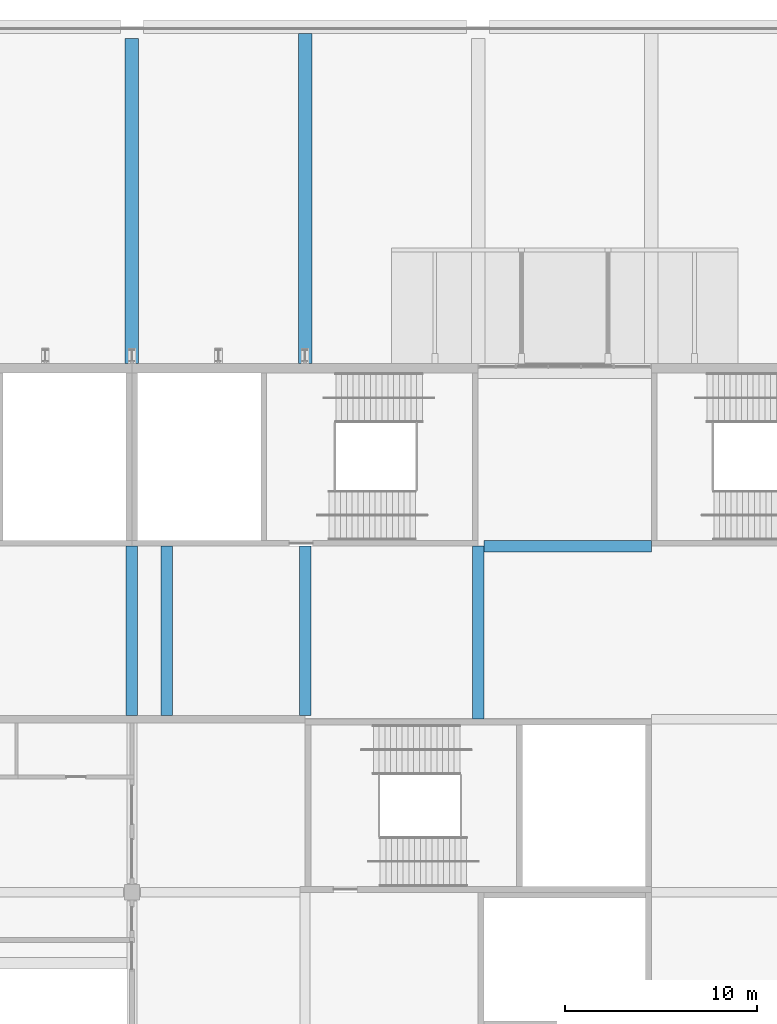
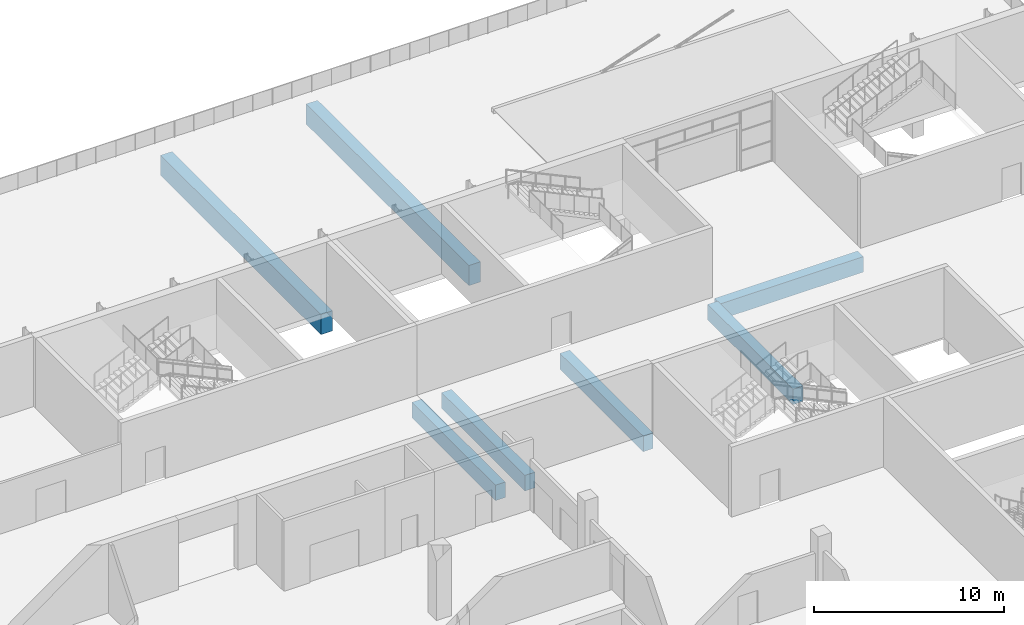
# One storey, part 63 of 168: 7 beams.
"""IFC4 building model written with IfcOpenShell, lengths in metres."""

from ifc_helpers import new_model, si_unit, direction, frame, origin, origin_2d, place, context, subcontext, project, spatial, rectangle, extrude, material, material_profile, profile_set, type_object, element, save


model = new_model("IFC4")

# Units and contexts
model_context = context("Model", 3, precision=1e-05, world=origin(), true_north=direction((0.0, 1.0)))
body_context = subcontext(model_context, "Body", "Model", "MODEL_VIEW")
ifc_project = project(units=[si_unit("LENGTHUNIT", "METRE"), si_unit("AREAUNIT", "SQUARE_METRE"), si_unit("VOLUMEUNIT", "CUBIC_METRE"), si_unit("PLANEANGLEUNIT", "RADIAN"), si_unit("MASSUNIT", "GRAM", prefix="KILO")], contexts=[model_context])

# Site, building, storey
site_placement = place(None, origin())
site = spatial("IfcSite", under=ifc_project, at=site_placement, CompositionType="ELEMENT")
building_placement = place(site_placement, origin())
building = spatial("IfcBuilding", under=site, at=building_placement, Name="Silverbay Arena", CompositionType="ELEMENT")
storey_placement = place(building_placement, frame((0.0, 0.0, 7.0)))
storey = spatial("IfcBuildingStorey", under=building, at=storey_placement, Name="L01", CompositionType="ELEMENT", Elevation=7.0)

# Beams
ifc_material_1 = material(Name="Concrete Grade C45", Category="concrete")
ifc_material_profile_1 = material_profile(ifc_material_1, rectangle(XDim=0.60009765625, YDim=1.0, at=origin_2d()), Name="RC 600x1000")
ifc_profile_set_1 = profile_set([ifc_material_profile_1], Name="Concrete Grade C45")
beam_type_1 = type_object("IfcBeamType", Name="RC beam 600x1000", PredefinedType="BEAM", material=ifc_profile_set_1)
beam_1_placement = place(storey_placement, frame((180.300048828125, 135.0, -0.85009765625), z_axis=(1.0, 0.0, 0.0), x_axis=(0.0, 1.0, 0.0)))
element("IfcBeam", 1, at=beam_1_placement, inside=storey, type_object=beam_type_1, Name="Floor beam L01 169", PredefinedType="BEAM", context=body_context, shape_type="SweptSolid", body=[
    extrude(rectangle(XDim=0.60009765625, YDim=1.0, at=origin_2d()), origin(), (0.0, 0.0, 1.0), 8.699951171875),
])
for number, where, z_axis, x_axis, name in (
    (2, (162.0, 126.199951171875, -0.85009765625), (0.0, 1.0, 0.0), (-1.0, 0.0, 0.0), "Floor beam L01 300"),
    (3, (163.800048828125, 126.199951171875, -0.85009765625), (0.0, 1.0, 0.0), (-1.0, 0.0, 0.0), "Floor beam L01 302"),
    (4, (171.0, 126.199951171875, -0.85009765625), (0.0, 1.0, 0.0), (-1.0, 0.0, 0.0), "Floor beam L01 308"),
):
    element("IfcBeam", number, at=place(storey_placement, frame(where, z_axis=z_axis, x_axis=x_axis)), inside=storey, type_object=beam_type_1, Name=name, PredefinedType="BEAM", context=body_context, shape_type="SweptSolid", body=[
        extrude(rectangle(XDim=0.60009765625, YDim=1.0, at=origin_2d()), origin(), (0.0, 0.0, 1.0), 8.800048828125),
    ])
beam_2_placement = place(storey_placement, frame((180.0, 126.0, -0.85009765625), z_axis=(0.0, 1.0, 0.0), x_axis=(-1.0, 0.0, 0.0)))
element("IfcBeam", 5, at=beam_2_placement, inside=storey, type_object=beam_type_1, Name="Floor beam L01 314", PredefinedType="BEAM", context=body_context, shape_type="SweptSolid", body=[
    extrude(rectangle(XDim=0.60009765625, YDim=1.0, at=origin_2d()), origin(), (0.0, 0.0, 1.0), 9.0),
])
ifc_material_2 = material(Name="Concrete Grade C45", Category="concrete")
ifc_material_profile_2 = material_profile(ifc_material_2, rectangle(XDim=0.699951171875, YDim=1.300048828125, at=origin_2d()), Name="RC 700x1300")
ifc_profile_set_2 = profile_set([ifc_material_profile_2], Name="Concrete Grade C45")
beam_type_2 = type_object("IfcBeamType", Name="RC girder 700x1300", PredefinedType="BEAM", material=ifc_profile_set_2)
beam_3_placement = place(storey_placement, frame((162.0, 144.5, -1.10009765625), z_axis=(0.0, 1.0, 0.0), x_axis=(-1.0, 0.0, 0.0)))
element("IfcBeam", 6, at=beam_3_placement, inside=storey, type_object=beam_type_2, Name="Deck secondary beam 128", PredefinedType="BEAM", context=body_context, shape_type="SweptSolid", body=[
    extrude(rectangle(XDim=0.699951171875, YDim=1.300048828125, at=origin_2d()), origin(), (0.0, 0.0, 1.0), 16.89990234375),
])
beam_4_placement = place(storey_placement, frame((171.0, 144.5, -1.10009765625), z_axis=(0.0, 1.0, 0.0), x_axis=(-1.0, 0.0, 0.0)))
element("IfcBeam", 7, at=beam_4_placement, inside=storey, type_object=beam_type_2, Name="Deck secondary beam 130", PredefinedType="BEAM", context=body_context, shape_type="SweptSolid", body=[
    extrude(rectangle(XDim=0.699951171875, YDim=1.300048828125, at=origin_2d()), origin(), (0.0, 0.0, 1.0), 17.14990234375),
])

save(model, "model.ifc")
